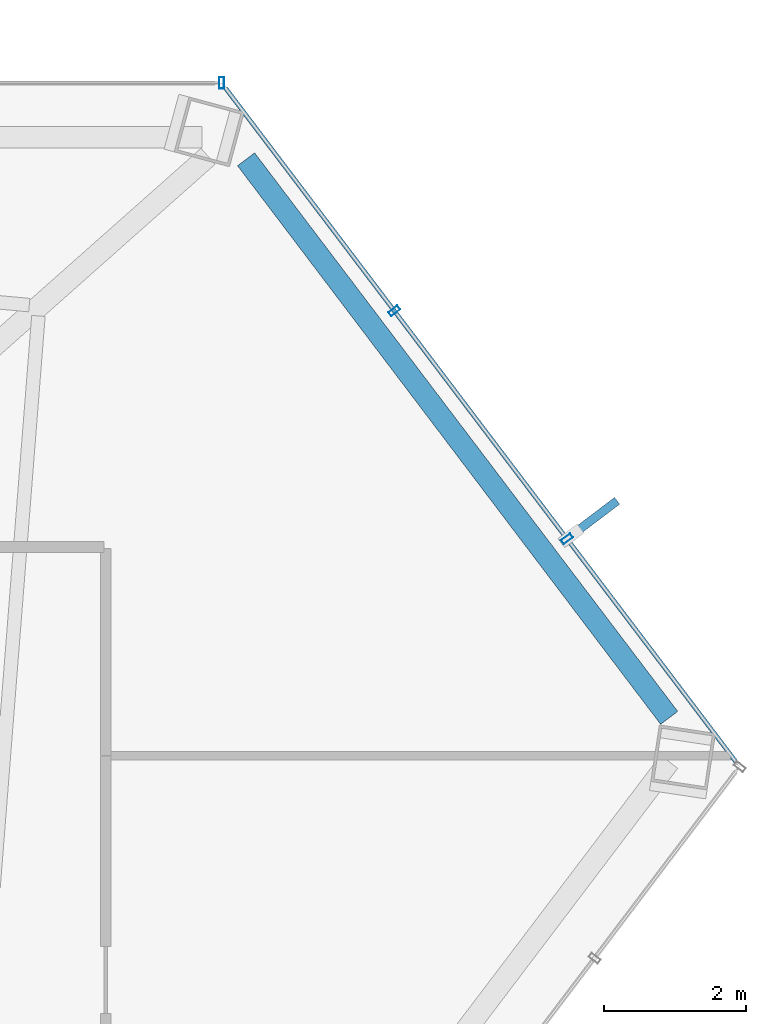
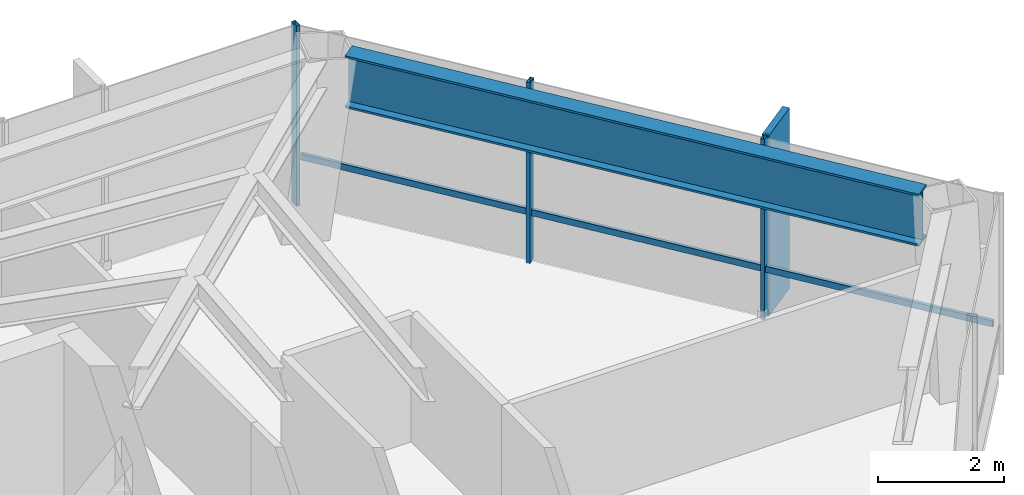
# One storey, part 23 of 28: 5 members, 1 beam, 2 elements without a shape of their own.
"""IFC4 building model written with IfcOpenShell, lengths in metres."""

from ifc_helpers import new_model, si_unit, direction, frame, origin, origin_2d, place, context, subcontext, project, spatial, rectangle, hollow_rectangle, i_section, extrude, material, layer, layer_set, material_profile, profile_set, type_object, element, aggregate, save


model = new_model("IFC4")

# Units and contexts
model_context = context("Model", 3, precision=1e-05, world=origin(), true_north=direction((0.0, 1.0)))
body_context = subcontext(model_context, "Body", "Model", "MODEL_VIEW")
ifc_project = project(units=[si_unit("LENGTHUNIT", "METRE"), si_unit("AREAUNIT", "SQUARE_METRE"), si_unit("VOLUMEUNIT", "CUBIC_METRE"), si_unit("PLANEANGLEUNIT", "RADIAN"), si_unit("MASSUNIT", "GRAM", prefix="KILO")], contexts=[model_context])

# Site, building, storey
site_placement = place(None, origin())
site = spatial("IfcSite", under=ifc_project, at=site_placement, CompositionType="ELEMENT")
building_placement = place(site_placement, origin())
building = spatial("IfcBuilding", under=site, at=building_placement, Name="Zarrinselat Tower", CompositionType="ELEMENT")
storey_placement = place(building_placement, frame((0.0, 0.0, 153.340087890625)))
storey = spatial("IfcBuildingStorey", under=building, at=storey_placement, Name="L37", CompositionType="ELEMENT", Elevation=153.340087890625)

# Beam
ifc_material_1 = material(Name="Steel S460M", Category="steel")
ifc_material_profile_1 = material_profile(ifc_material_1, i_section(OverallWidth=0.302001953125, OverallDepth=1.008056640625, WebThickness=0.02099609375, FlangeThickness=0.0400390625, at=origin_2d()), Name="HEM 1000")
ifc_profile_set_1 = profile_set([ifc_material_profile_1], Name="Steel S460M")
beam_type = type_object("IfcBeamType", Name="BM-HEM1000", PredefinedType="BEAM", material=ifc_profile_set_1)
beam_placement = place(storey_placement, frame((55.9765625, 47.95751953125, 2.98583984375), z_axis=(0.603846251139, -0.79710081231, 0.0), x_axis=(0.79710081231, 0.603846251139, 0.0)))
element("IfcBeam", 1, at=beam_placement, inside=storey, type_object=beam_type, Name="L37 Perimeter Spandrel Girder SP15", PredefinedType="BEAM", context=body_context, shape_type="SweptSolid", body=[
    extrude(i_section(OverallWidth=0.302001953125, OverallDepth=1.008056640625, WebThickness=0.02099609375, FlangeThickness=0.0400390625, at=origin_2d()), origin(), (0.0, 0.0, 1.0), 9.864013671875),
])

# Curtain wall, member
ifc_material_2 = material(Name="Extruded Aluminium Alloy EN AW-6063 T6", Category="aluminium")
ifc_layer = layer(ifc_material_2, 0.175048828125)
ifc_layer_set = layer_set([ifc_layer], Name="Extruded Aluminium Alloy EN AW-6063 T6")
curtain_wall_type = type_object("IfcCurtainWallType", Name="CWS-HTL", PredefinedType="NOTDEFINED", material=ifc_layer_set)
curtain_wall_1_placement = place(storey_placement, origin())
curtain_wall_1 = element("IfcCurtainWall", 2, at=curtain_wall_1_placement, inside=storey, type_object=curtain_wall_type, Name="L37 Unitised Curtain Wall CW-L37-E01", PredefinedType="NOTDEFINED")
ifc_material_3 = material(Name="Extruded Aluminium Alloy EN AW-6063 T6", Category="aluminium")
ifc_material_profile_2 = material_profile(ifc_material_3, hollow_rectangle(XDim=0.070068359375, YDim=0.159912109375, WallThickness=0.00390625, at=origin_2d()), Name="RHS 160x70x4")
ifc_profile_set_2 = profile_set([ifc_material_profile_2], Name="Extruded Aluminium Alloy EN AW-6063 T6")
member_type_1 = type_object("IfcMemberType", Name="MEM-CW-MUL2", PredefinedType="MULLION", material=ifc_profile_set_2)
member_1_placement = place(storey_placement, frame((55.6328125, 49.033203125, 0.0), z_axis=(0.0, 0.0, 1.0), x_axis=(-1.0, 0.0, 0.0)))
member_1 = element("IfcMember", 3, at=member_1_placement, type_object=member_type_1, Name="CW-L37-E01 Mullion 0", PredefinedType="MULLION", context=body_context, shape_type="SweptSolid", body=[
    extrude(hollow_rectangle(XDim=0.070068359375, YDim=0.159912109375, WallThickness=0.00390625, at=origin_2d()), origin(), (0.0, 0.0, 1.0), 3.489990234375),
])
aggregate(curtain_wall_1, [member_1])

# Curtain wall, members
curtain_wall_2_placement = place(storey_placement, origin())
curtain_wall_2 = element("IfcCurtainWall", 4, at=curtain_wall_2_placement, inside=storey, type_object=curtain_wall_type, Name="L37 Unitised Curtain Wall CW-L37-E06", PredefinedType="NOTDEFINED")
member_2_placement = place(storey_placement, frame((60.49462890625, 42.61572265625, 0.0), z_axis=(0.0, 0.0, 1.0), x_axis=(-0.603861514104, 0.797089249573, 0.0)))
member_2 = element("IfcMember", 5, at=member_2_placement, type_object=member_type_1, Name="CW-L37-E06 Mullion 1", PredefinedType="MULLION", context=body_context, shape_type="SweptSolid", body=[
    extrude(hollow_rectangle(XDim=0.070068359375, YDim=0.159912109375, WallThickness=0.00390625, at=origin_2d()), origin(), (0.0, 0.0, 1.0), 3.489990234375),
])
member_3_placement = place(storey_placement, frame((58.063720703125, 45.824462890625, 0.0), z_axis=(0.0, 0.0, 1.0), x_axis=(-0.603861514104, 0.797089249573, 0.0)))
member_3 = element("IfcMember", 6, at=member_3_placement, type_object=member_type_1, Name="CW-L37-E06 Mullion 2", PredefinedType="MULLION", context=body_context, shape_type="SweptSolid", body=[
    extrude(hollow_rectangle(XDim=0.070068359375, YDim=0.159912109375, WallThickness=0.00390625, at=origin_2d()), origin(), (0.0, 0.0, 1.0), 3.489990234375),
])
ifc_material_4 = material(Name="Extruded Aluminium Alloy EN AW-6063 T6", Category="aluminium")
ifc_material_profile_3 = material_profile(ifc_material_4, hollow_rectangle(XDim=0.06005859375, YDim=0.1201171875, WallThickness=0.00390625, at=origin_2d()), Name="RHS 120x60x4")
ifc_profile_set_3 = profile_set([ifc_material_profile_3], Name="Extruded Aluminium Alloy EN AW-6063 T6")
member_type_2 = type_object("IfcMemberType", Name="MEM-CW-TRN2", PredefinedType="USERDEFINED", material=ifc_profile_set_3)
member_4_placement = place(storey_placement, frame((62.87109375, 39.478515625, 0.949951171875), z_axis=(-0.603850971357, 0.797097236472, 0.0), x_axis=(-0.797097236472, -0.603850971357, 0.0)))
member_4 = element("IfcMember", 7, at=member_4_placement, type_object=member_type_2, Name="CW-L37-E06 Transom 1", ObjectType="TRANSOM", PredefinedType="USERDEFINED", context=body_context, shape_type="SweptSolid", body=[
    extrude(hollow_rectangle(XDim=0.06005859375, YDim=0.1201171875, WallThickness=0.00390625, at=origin_2d()), origin(), (0.0, 0.0, 1.0), 11.897216796875),
])
ifc_material_5 = material(Name="Honed Cream Travertine Stone", Category="masonry")
ifc_material_profile_4 = material_profile(ifc_material_5, rectangle(XDim=0.1201171875, YDim=0.85009765625, at=origin_2d()), Name="FIN 850x120")
ifc_profile_set_4 = profile_set([ifc_material_profile_4], Name="Honed Cream Travertine Stone")
member_type_3 = type_object("IfcMemberType", Name="MEM-STONE-FIN", PredefinedType="USERDEFINED", material=ifc_profile_set_4)
member_5_placement = place(storey_placement, frame((60.861328125, 42.8935546875, 0.0), z_axis=(0.0, 0.0, 1.0), x_axis=(0.603861514104, -0.797089249573, 0.0)))
member_5 = element("IfcMember", 8, at=member_5_placement, type_object=member_type_3, Name="L37 Stone Shading Fin CW-L37-E06-01", ObjectType="FIN", PredefinedType="USERDEFINED", context=body_context, shape_type="SweptSolid", body=[
    extrude(rectangle(XDim=0.1201171875, YDim=0.85009765625, at=origin_2d()), origin(), (0.0, 0.0, 1.0), 3.489990234375),
])
aggregate(curtain_wall_2, [member_2, member_5, member_3, member_4])

save(model, "model.ifc")
